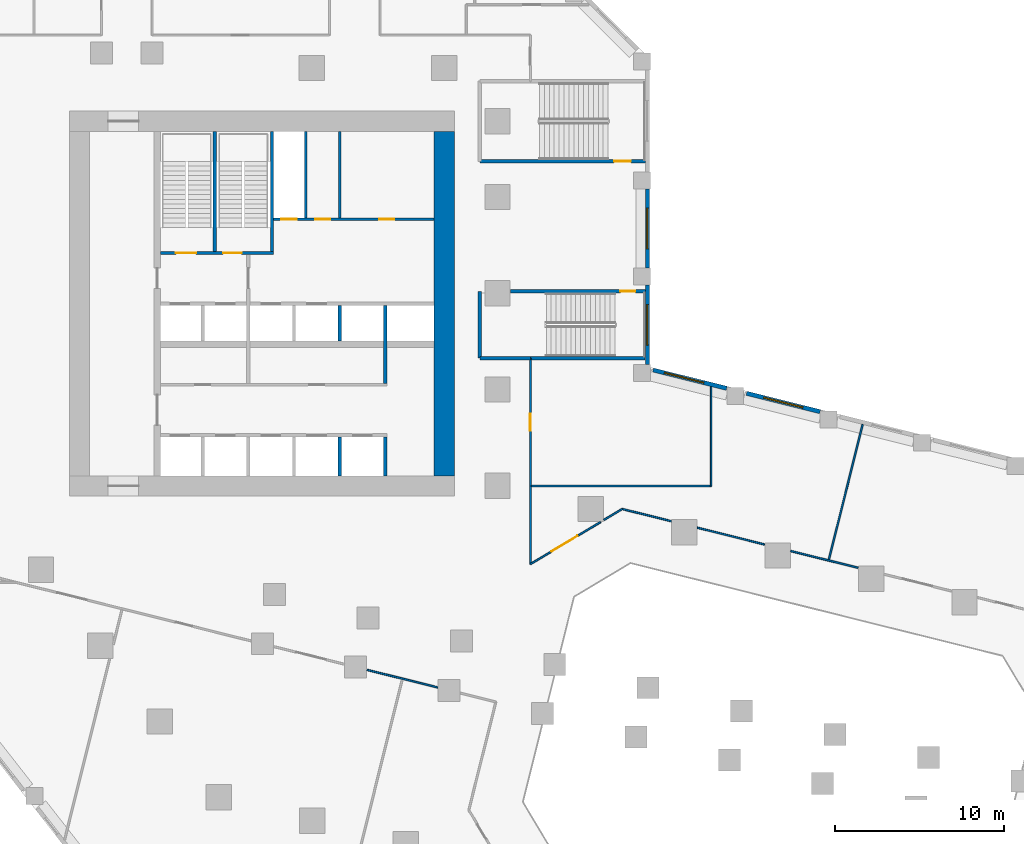
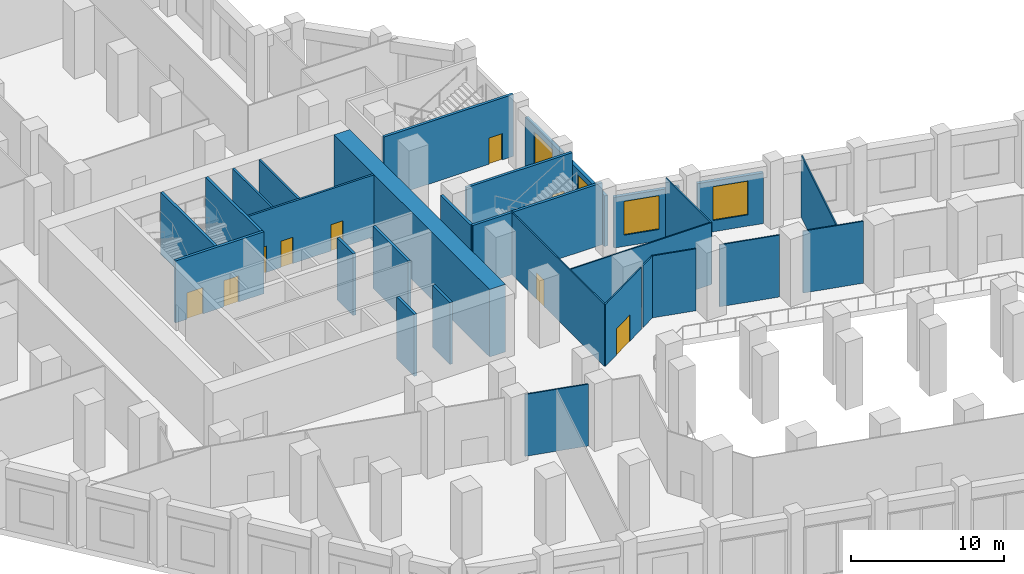
# One storey, part 11 of 23: 30 walls, 9 doors, 4 windows, 13 openings.
"""IFC4 building model written with IfcOpenShell, lengths in metres."""

from ifc_helpers import new_model, si_unit, direction, frame, frame_2d, origin, place, context, subcontext, project, spatial, rectangle, extrude, material, layer, layer_set, type_object, element, fill, save


model = new_model("IFC4")

# Units and contexts
model_context = context("Model", 3, precision=1e-05, world=origin(), true_north=direction((0.0, 1.0)))
body_context = subcontext(model_context, "Body", "Model", "MODEL_VIEW")
ifc_project = project(units=[si_unit("LENGTHUNIT", "METRE"), si_unit("AREAUNIT", "SQUARE_METRE"), si_unit("VOLUMEUNIT", "CUBIC_METRE"), si_unit("PLANEANGLEUNIT", "RADIAN"), si_unit("MASSUNIT", "GRAM", prefix="KILO")], contexts=[model_context])

# Site, building, storey
site_placement = place(None, origin())
site = spatial("IfcSite", under=ifc_project, at=site_placement, CompositionType="ELEMENT")
building_placement = place(site_placement, origin())
building = spatial("IfcBuilding", under=site, at=building_placement, Name="Meshkara Civic Tower", CompositionType="ELEMENT")
storey_placement = place(building_placement, frame((0.0, 0.0, 7.199951171875)))
storey = spatial("IfcBuildingStorey", under=building, at=storey_placement, Name="L01", CompositionType="ELEMENT", Elevation=7.199951171875)

# Wall, openings, doors
ifc_material_1 = material(Name="Blockwork", Category="masonry")
ifc_layer_1 = layer(ifc_material_1, 0.14990234375)
ifc_layer_set_1 = layer_set([ifc_layer_1], Name="Core partition 150")
wall_type_1 = type_object("IfcWallType", Name="Core partition 150", PredefinedType="PARTITIONING", material=ifc_layer_set_1)
wall_1_placement = place(storey_placement, frame((20.10009765625, 30.5, 0.0), z_axis=(0.0, 0.0, 1.0), x_axis=(1.0, 0.0, 0.0)))
wall_1 = element("IfcWall", 1, at=wall_1_placement, inside=storey, type_object=wall_type_1, Name="L01-C010", PredefinedType="PARTITIONING", context=body_context, shape_type="SweptSolid", body=[
    extrude(rectangle(XDim=9.5, YDim=0.14990234375, at=frame_2d((4.75, 0.0))), origin(), (0.0, 0.0, 1.0), 4.949951171875),
])
opening_1_placement = place(wall_1_placement, frame((0.449951171875, 0.0, 0.0)))
opening_1 = element("IfcOpeningElement", 2, at=opening_1_placement, cuts=wall_1, Name="Opening L01-K012", PredefinedType="OPENING", context=body_context, shape_type="SweptSolid", body=[
    extrude(rectangle(XDim=0.89990234375, YDim=2.10009765625, at=frame_2d((0.449951171875, 1.050048828125))), frame((0.0, 0.0849609375, 0.0), z_axis=(0.0, -1.0, 0.0), x_axis=(1.0, 0.0, 0.0)), (0.0, 0.0, 1.0), 0.169921875),
])
opening_2_placement = place(wall_1_placement, frame((2.449951171875, 0.0, 0.0)))
opening_2 = element("IfcOpeningElement", 3, at=opening_2_placement, cuts=wall_1, Name="Opening L01-K013", PredefinedType="OPENING", context=body_context, shape_type="SweptSolid", body=[
    extrude(rectangle(XDim=0.89990234375, YDim=2.10009765625, at=frame_2d((0.449951171875, 1.050048828125))), frame((0.0, 0.0849609375, 0.0), z_axis=(0.0, -1.0, 0.0), x_axis=(1.0, 0.0, 0.0)), (0.0, 0.0, 1.0), 0.169921875),
])
opening_3_placement = place(wall_1_placement, frame((6.25, 0.0, 0.0)))
opening_3 = element("IfcOpeningElement", 4, at=opening_3_placement, cuts=wall_1, Name="Opening L01-K014", PredefinedType="OPENING", context=body_context, shape_type="SweptSolid", body=[
    extrude(rectangle(XDim=0.89990234375, YDim=2.10009765625, at=frame_2d((0.449951171875, 1.050048828125))), frame((0.0, 0.0849609375, 0.0), z_axis=(0.0, -1.0, 0.0), x_axis=(1.0, 0.0, 0.0)), (0.0, 0.0, 1.0), 0.169921875),
])
ifc_material_2 = material(Name="Timber door leaf in steel frame", Category="steel")
door_type_1 = type_object("IfcDoorType", Name="Core room door 900", OperationType="SINGLE_SWING_LEFT", PredefinedType="DOOR", material=ifc_material_2)
door_1_placement = place(opening_3_placement, origin())
door_1 = element("IfcDoor", 5, at=door_1_placement, inside=storey, type_object=door_type_1, Name="L01-K014", OperationType="SINGLE_SWING_RIGHT", OverallHeight=2.10009765625, OverallWidth=0.89990234375, PredefinedType="DOOR", context=body_context, shape_type="SweptSolid", body=[
    extrude(rectangle(XDim=0.89990234375, YDim=2.10009765625, at=frame_2d((0.449951171875, 1.050048828125))), frame((0.0, 0.02490234375, 0.0), z_axis=(0.0, -1.0, 0.0), x_axis=(1.0, 0.0, 0.0)), (0.0, 0.0, 1.0), 0.050048828125),
])
fill(opening_3, door_1)
ifc_material_3 = material(Name="Fire-rated door leaf in steel frame", Category="steel")
door_type_2 = type_object("IfcDoorType", Name="Riser door 900", OperationType="SINGLE_SWING_LEFT", PredefinedType="DOOR", material=ifc_material_3)
door_2_placement = place(opening_1_placement, origin())
door_2 = element("IfcDoor", 6, at=door_2_placement, inside=storey, type_object=door_type_2, Name="L01-K012", OperationType="SINGLE_SWING_RIGHT", OverallHeight=2.10009765625, OverallWidth=0.89990234375, PredefinedType="DOOR", context=body_context, shape_type="SweptSolid", body=[
    extrude(rectangle(XDim=0.89990234375, YDim=2.10009765625, at=frame_2d((0.449951171875, 1.050048828125))), frame((0.0, 0.02490234375, 0.0), z_axis=(0.0, -1.0, 0.0), x_axis=(1.0, 0.0, 0.0)), (0.0, 0.0, 1.0), 0.050048828125),
])
fill(opening_1, door_2)
ifc_material_4 = material(Name="Timber door leaf in steel frame", Category="steel")
door_type_3 = type_object("IfcDoorType", Name="WC door 900", OperationType="SINGLE_SWING_LEFT", PredefinedType="DOOR", material=ifc_material_4)
door_3_placement = place(opening_2_placement, origin())
door_3 = element("IfcDoor", 7, at=door_3_placement, inside=storey, type_object=door_type_3, Name="L01-K013", OperationType="SINGLE_SWING_LEFT", OverallHeight=2.10009765625, OverallWidth=0.89990234375, PredefinedType="DOOR", context=body_context, shape_type="SweptSolid", body=[
    extrude(rectangle(XDim=0.89990234375, YDim=2.10009765625, at=frame_2d((0.449951171875, 1.050048828125))), frame((0.0, 0.02490234375, 0.0), z_axis=(0.0, -1.0, 0.0), x_axis=(1.0, 0.0, 0.0)), (0.0, 0.0, 1.0), 0.050048828125),
])
fill(opening_2, door_3)

# Walls
for number, where, z_axis, x_axis, name in (
    (8, (22.0, 30.574951171875, 0.0), (0.0, 0.0, 1.0), (0.0, 1.0, 0.0), "L01-C020"),
    (9, (24.0, 30.574951171875, 0.0), (0.0, 0.0, 1.0), (0.0, 1.0, 0.0), "L01-C023"),
):
    element("IfcWall", number, at=place(storey_placement, frame(where, z_axis=z_axis, x_axis=x_axis)), inside=storey, type_object=wall_type_1, Name=name, PredefinedType="PARTITIONING", context=body_context, shape_type="SweptSolid", body=[
        extrude(rectangle(XDim=5.125, YDim=0.14990234375, at=frame_2d((2.5625, 0.0))), origin(), (0.0, 0.0, 1.0), 4.949951171875),
    ])
ifc_material_5 = material(Name="Concrete C80", Category="concrete")
ifc_layer_2 = layer(ifc_material_5, 1.199951171875)
ifc_layer_set_2 = layer_set([ifc_layer_2], Name="Core ring wall 1200 C80")
wall_type_2 = type_object("IfcWallType", Name="Core ring wall 1200 C80", PredefinedType="SHEAR", material=ifc_layer_set_2)
wall_2_placement = place(storey_placement, frame((30.199951171875, 15.300048828125, -0.449951171875), z_axis=(0.0, 0.0, 1.0), x_axis=(0.0, 1.0, 0.0)))
element("IfcWall", 10, at=wall_2_placement, inside=storey, type_object=wall_type_2, Name="L01-C004", PredefinedType="SHEAR", context=body_context, shape_type="SweptSolid", body=[
    extrude(rectangle(XDim=20.39990234375, YDim=1.199951171875, at=frame_2d((10.199951171875, 0.0))), origin(), (0.0, 0.0, 1.0), 5.39990234375),
])
ifc_material_6 = material(Name="Corridor wall 100")
ifc_layer_3 = layer(ifc_material_6, 0.10009765625)
ifc_layer_set_3 = layer_set([ifc_layer_3], Name="Corridor wall 100")
wall_type_3 = type_object("IfcWallType", Name="Corridor wall 100", PredefinedType="PARTITIONING", material=ifc_layer_set_3)
wall_3_placement = place(storey_placement, frame((25.6240234375, 3.81494140625, 0.0), z_axis=(0.0, 0.0, 1.0), x_axis=(0.970295255208, -0.241923784941, 0.0)))
element("IfcWall", 11, at=wall_3_placement, inside=storey, type_object=wall_type_3, Name="L01-R034", PredefinedType="PARTITIONING", context=body_context, shape_type="SweptSolid", body=[
    extrude(rectangle(XDim=4.3193359375, YDim=0.10009765625, at=frame_2d((2.15966796875, 0.0))), origin(), (0.0, 0.0, 1.0), 4.949951171875),
])

# Wall, opening, door
wall_4_placement = place(storey_placement, frame((35.300048828125, 10.072998046875, 0.0), z_axis=(0.0, 0.0, 1.0), x_axis=(0.0, 1.0, 0.0)))
wall_4 = element("IfcWall", 12, at=wall_4_placement, inside=storey, type_object=wall_type_3, Name="L01-R047", PredefinedType="PARTITIONING", context=body_context, shape_type="SweptSolid", body=[
    extrude(rectangle(XDim=12.201904296875, YDim=0.10009765625, at=frame_2d((6.10107421875, 0.0))), origin(), (0.0, 0.0, 1.0), 4.949951171875),
])
opening_4_placement = place(wall_4_placement, frame((7.906982421875, 0.0, 0.0)))
opening_4 = element("IfcOpeningElement", 13, at=opening_4_placement, cuts=wall_4, Name="Opening L01-P021", PredefinedType="OPENING", context=body_context, shape_type="SweptSolid", body=[
    extrude(rectangle(XDim=1.0, YDim=2.10009765625, at=frame_2d((0.5, 1.050048828125))), frame((0.0, 0.06005859375, 0.0), z_axis=(0.0, -1.0, 0.0), x_axis=(1.0, 0.0, 0.0)), (0.0, 0.0, 1.0), 0.1201171875),
])
ifc_material_7 = material(Name="Door 1000 x 2100")
door_type_4 = type_object("IfcDoorType", Name="Door 1000 x 2100", OperationType="SINGLE_SWING_LEFT", PredefinedType="DOOR", material=ifc_material_7)
door_4_placement = place(opening_4_placement, origin())
door_4 = element("IfcDoor", 14, at=door_4_placement, inside=storey, type_object=door_type_4, Name="L01-P021", OperationType="SINGLE_SWING_LEFT", OverallHeight=2.10009765625, OverallWidth=1.0, PredefinedType="DOOR", context=body_context, shape_type="SweptSolid", body=[
    extrude(rectangle(XDim=1.0, YDim=2.10009765625, at=frame_2d((0.5, 1.050048828125))), frame((0.0, 0.02490234375, 0.0), z_axis=(0.0, -1.0, 0.0), x_axis=(1.0, 0.0, 0.0)), (0.0, 0.0, 1.0), 0.050048828125),
])
fill(opening_4, door_4)

wall_5_placement = place(storey_placement, frame((39.455078125, 12.570068359375, 0.0), z_axis=(0.0, 0.0, 1.0), x_axis=(-0.857123872191, -0.515110345189, 0.0)))
wall_5 = element("IfcWall", 15, at=wall_5_placement, inside=storey, type_object=wall_type_3, Name="L01-R050", PredefinedType="PARTITIONING", context=body_context, shape_type="SweptSolid", body=[
    extrude(rectangle(XDim=4.84765625, YDim=0.10009765625, at=frame_2d((2.423828125, 0.0))), origin(), (0.0, 0.0, 1.0), 4.949951171875),
])
opening_5_placement = place(wall_5_placement, frame((1.580078125, 0.0, 0.0)))
opening_5 = element("IfcOpeningElement", 16, at=opening_5_placement, cuts=wall_5, Name="Opening L01-P018", PredefinedType="OPENING", context=body_context, shape_type="SweptSolid", body=[
    extrude(rectangle(XDim=1.800048828125, YDim=2.10009765625, at=frame_2d((0.89990234375, 1.050048828125))), frame((0.0, 0.06005859375, 0.0), z_axis=(0.0, -1.0, 0.0), x_axis=(1.0, 0.0, 0.0)), (0.0, 0.0, 1.0), 0.1201171875),
])
ifc_material_8 = material(Name="Door pair 1800 x 2100")
door_type_5 = type_object("IfcDoorType", Name="Door pair 1800 x 2100", OperationType="SINGLE_SWING_LEFT", PredefinedType="DOOR", material=ifc_material_8)
door_5_placement = place(opening_5_placement, origin())
door_5 = element("IfcDoor", 17, at=door_5_placement, inside=storey, type_object=door_type_5, Name="L01-P018", OperationType="DOUBLE_DOOR_SINGLE_SWING", OverallHeight=2.10009765625, OverallWidth=1.800048828125, PredefinedType="DOOR", context=body_context, shape_type="SweptSolid", body=[
    extrude(rectangle(XDim=1.800048828125, YDim=2.10009765625, at=frame_2d((0.89990234375, 1.050048828125))), frame((0.0, 0.02490234375, 0.0), z_axis=(0.0, -1.0, 0.0), x_axis=(1.0, 0.0, 0.0)), (0.0, 0.0, 1.0), 0.050048828125),
])
fill(opening_5, door_5)

# Walls
wall_6_placement = place(storey_placement, frame((40.738037109375, 13.341064453125, 0.0), z_axis=(0.0, 0.0, 1.0), x_axis=(-0.8572210355, -0.51494863462, 0.0)))
element("IfcWall", 18, at=wall_6_placement, inside=storey, type_object=wall_type_3, Name="L01-R051", PredefinedType="PARTITIONING", context=body_context, shape_type="SweptSolid", body=[
    extrude(rectangle(XDim=1.268310546875, YDim=0.10009765625, at=frame_2d((0.63427734375, 0.0))), origin(), (0.0, 0.0, 1.0), 4.949951171875),
])
wall_7_placement = place(storey_placement, frame((43.64111328125, 12.616943359375, 0.0), z_axis=(0.0, 0.0, 1.0), x_axis=(-0.970271957157, 0.242017208387, 0.0)))
element("IfcWall", 19, at=wall_7_placement, inside=storey, type_object=wall_type_3, Name="L01-R053", PredefinedType="PARTITIONING", context=body_context, shape_type="SweptSolid", body=[
    extrude(rectangle(XDim=2.991943359375, YDim=0.10009765625, at=frame_2d((1.49609375, 0.0))), origin(), (0.0, 0.0, 1.0), 4.949951171875),
])
wall_8_placement = place(storey_placement, frame((49.172119140625, 11.238037109375, 0.0), z_axis=(0.0, 0.0, 1.0), x_axis=(-0.970309854702, 0.241865222529, 0.0)))
element("IfcWall", 20, at=wall_8_placement, inside=storey, type_object=wall_type_3, Name="L01-R054", PredefinedType="PARTITIONING", context=body_context, shape_type="SweptSolid", body=[
    extrude(rectangle(XDim=4.11328125, YDim=0.10009765625, at=frame_2d((2.056640625, 0.0))), origin(), (0.0, 0.0, 1.0), 4.949951171875),
])
wall_9_placement = place(storey_placement, frame((50.7119140625, 10.85400390625, 0.0), z_axis=(0.0, 0.0, 1.0), x_axis=(0.970292450022, -0.241935035559, 0.0)))
element("IfcWall", 21, at=wall_9_placement, inside=storey, type_object=wall_type_3, Name="L01-R055", PredefinedType="PARTITIONING", context=body_context, shape_type="SweptSolid", body=[
    extrude(rectangle(XDim=4.113037109375, YDim=0.10009765625, at=frame_2d((2.056640625, 0.0))), origin(), (0.0, 0.0, 1.0), 4.949951171875),
])

# Wall, opening, window
ifc_material_9 = material(Name="Stone cladding on insulated backing wall", Category="masonry")
ifc_layer_4 = layer(ifc_material_9, 0.25)
ifc_layer_set_4 = layer_set([ifc_layer_4], Name="PODIUM STONE WALL 250")
wall_type_4 = type_object("IfcWallType", Name="PODIUM STONE WALL 250", PredefinedType="SOLIDWALL", material=ifc_layer_set_4)
wall_10_placement = place(storey_placement, frame((52.451904296875, 19.10302734375, 0.0), z_axis=(0.0, 0.0, 1.0), x_axis=(-0.970276766004, 0.241997928406, 0.0)))
wall_10 = element("IfcWall", 22, at=wall_10_placement, inside=storey, type_object=wall_type_4, Name="Podium external wall", PredefinedType="SOLIDWALL", context=body_context, shape_type="SweptSolid", body=[
    extrude(rectangle(XDim=4.4873046875, YDim=0.25, at=frame_2d((2.24365234375, 0.0))), origin(), (0.0, 0.0, 1.0), 4.050048828125),
])
opening_6_placement = place(wall_10_placement, frame((1.0439453125, 0.0, 0.89990234375)))
opening_6 = element("IfcOpeningElement", 23, at=opening_6_placement, cuts=wall_10, Name="Opening PW4", PredefinedType="OPENING", context=body_context, shape_type="SweptSolid", body=[
    extrude(rectangle(XDim=2.39990234375, YDim=2.699951171875, at=frame_2d((1.199951171875, 1.35009765625))), frame((0.0, 0.135009765625, 0.0), z_axis=(0.0, -1.0, 0.0), x_axis=(1.0, 0.0, 0.0)), (0.0, 0.0, 1.0), 0.27001953125),
])
ifc_material_10 = material(Name="Tinted double glazing", Category="glass")
window_type = type_object("IfcWindowType", Name="PODIUM WINDOW 2400x2700", PartitioningType="DOUBLE_PANEL_VERTICAL", PredefinedType="WINDOW", material=ifc_material_10)
window_1_placement = place(opening_6_placement, origin())
window_1 = element("IfcWindow", 24, at=window_1_placement, inside=storey, type_object=window_type, Name="Podium window", OverallHeight=2.699951171875, OverallWidth=2.39990234375, PartitioningType="DOUBLE_PANEL_VERTICAL", PredefinedType="WINDOW", context=body_context, shape_type="SweptSolid", body=[
    extrude(rectangle(XDim=2.39990234375, YDim=2.699951171875, at=frame_2d((1.199951171875, 1.35009765625))), frame((0.0, 0.030029296875, 0.0), z_axis=(0.0, -1.0, 0.0), x_axis=(1.0, 0.0, 0.0)), (0.0, 0.0, 1.0), 0.06005859375),
])
fill(opening_6, window_1)

wall_11_placement = place(storey_placement, frame((46.922119140625, 20.48193359375, 0.0), z_axis=(0.0, 0.0, 1.0), x_axis=(-0.970279921141, 0.241985277715, 0.0)))
wall_11 = element("IfcWall", 25, at=wall_11_placement, inside=storey, type_object=wall_type_4, Name="Podium external wall", PredefinedType="SOLIDWALL", context=body_context, shape_type="SweptSolid", body=[
    extrude(rectangle(XDim=4.488525390625, YDim=0.25, at=frame_2d((2.244140625, 0.0))), origin(), (0.0, 0.0, 1.0), 4.050048828125),
])
opening_7_placement = place(wall_11_placement, frame((1.39697265625, 0.0, 0.89990234375)))
opening_7 = element("IfcOpeningElement", 26, at=opening_7_placement, cuts=wall_11, Name="Opening PW4", PredefinedType="OPENING", context=body_context, shape_type="SweptSolid", body=[
    extrude(rectangle(XDim=2.39990234375, YDim=2.699951171875, at=frame_2d((1.199951171875, 1.35009765625))), frame((0.0, 0.135009765625, 0.0), z_axis=(0.0, -1.0, 0.0), x_axis=(1.0, 0.0, 0.0)), (0.0, 0.0, 1.0), 0.27001953125),
])
window_2_placement = place(opening_7_placement, origin())
window_2 = element("IfcWindow", 27, at=window_2_placement, inside=storey, type_object=window_type, Name="Podium window", OverallHeight=2.699951171875, OverallWidth=2.39990234375, PartitioningType="DOUBLE_PANEL_VERTICAL", PredefinedType="WINDOW", context=body_context, shape_type="SweptSolid", body=[
    extrude(rectangle(XDim=2.39990234375, YDim=2.699951171875, at=frame_2d((1.199951171875, 1.35009765625))), frame((0.0, 0.030029296875, 0.0), z_axis=(0.0, -1.0, 0.0), x_axis=(1.0, 0.0, 0.0)), (0.0, 0.0, 1.0), 0.06005859375),
])
fill(opening_7, window_2)

wall_12_placement = place(storey_placement, frame((42.22509765625, 21.89892578125, 0.0), z_axis=(0.0, 0.0, 1.0), x_axis=(0.0, 1.0, 0.0)))
wall_12 = element("IfcWall", 28, at=wall_12_placement, inside=storey, type_object=wall_type_4, Name="Podium external wall", PredefinedType="SOLIDWALL", context=body_context, shape_type="SweptSolid", body=[
    extrude(rectangle(XDim=4.7001953125, YDim=0.25, at=frame_2d((2.35009765625, 0.0))), origin(), (0.0, 0.0, 1.0), 4.050048828125),
])
opening_8_placement = place(wall_12_placement, frame((1.14990234375, 0.0, 0.89990234375)))
opening_8 = element("IfcOpeningElement", 29, at=opening_8_placement, cuts=wall_12, Name="Opening PW4", PredefinedType="OPENING", context=body_context, shape_type="SweptSolid", body=[
    extrude(rectangle(XDim=2.39990234375, YDim=2.699951171875, at=frame_2d((1.199951171875, 1.35009765625))), frame((0.0, 0.135009765625, 0.0), z_axis=(0.0, -1.0, 0.0), x_axis=(1.0, 0.0, 0.0)), (0.0, 0.0, 1.0), 0.27001953125),
])
window_3_placement = place(opening_8_placement, origin())
window_3 = element("IfcWindow", 30, at=window_3_placement, inside=storey, type_object=window_type, Name="Podium window", OverallHeight=2.699951171875, OverallWidth=2.39990234375, PartitioningType="DOUBLE_PANEL_VERTICAL", PredefinedType="WINDOW", context=body_context, shape_type="SweptSolid", body=[
    extrude(rectangle(XDim=2.39990234375, YDim=2.699951171875, at=frame_2d((1.199951171875, 1.35009765625))), frame((0.0, 0.030029296875, 0.0), z_axis=(0.0, -1.0, 0.0), x_axis=(1.0, 0.0, 0.0)), (0.0, 0.0, 1.0), 0.06005859375),
])
fill(opening_8, window_3)

wall_13_placement = place(storey_placement, frame((42.22509765625, 27.59912109375, 0.0), z_axis=(0.0, 0.0, 1.0), x_axis=(0.0, 1.0, 0.0)))
wall_13 = element("IfcWall", 31, at=wall_13_placement, inside=storey, type_object=wall_type_4, Name="Podium external wall", PredefinedType="SOLIDWALL", context=body_context, shape_type="SweptSolid", body=[
    extrude(rectangle(XDim=4.699951171875, YDim=0.25, at=frame_2d((2.35009765625, 0.0))), origin(), (0.0, 0.0, 1.0), 4.050048828125),
])
opening_9_placement = place(wall_13_placement, frame((1.14990234375, 0.0, 0.89990234375)))
opening_9 = element("IfcOpeningElement", 32, at=opening_9_placement, cuts=wall_13, Name="Opening PW4", PredefinedType="OPENING", context=body_context, shape_type="SweptSolid", body=[
    extrude(rectangle(XDim=2.39990234375, YDim=2.699951171875, at=frame_2d((1.199951171875, 1.35009765625))), frame((0.0, 0.135009765625, 0.0), z_axis=(0.0, -1.0, 0.0), x_axis=(1.0, 0.0, 0.0)), (0.0, 0.0, 1.0), 0.27001953125),
])
window_4_placement = place(opening_9_placement, origin())
window_4 = element("IfcWindow", 33, at=window_4_placement, inside=storey, type_object=window_type, Name="Podium window", OverallHeight=2.699951171875, OverallWidth=2.39990234375, PartitioningType="DOUBLE_PANEL_VERTICAL", PredefinedType="WINDOW", context=body_context, shape_type="SweptSolid", body=[
    extrude(rectangle(XDim=2.39990234375, YDim=2.699951171875, at=frame_2d((1.199951171875, 1.35009765625))), frame((0.0, 0.030029296875, 0.0), z_axis=(0.0, -1.0, 0.0), x_axis=(1.0, 0.0, 0.0)), (0.0, 0.0, 1.0), 0.06005859375),
])
fill(opening_9, window_4)

# Walls
ifc_material_11 = material(Name="Partition 100")
ifc_layer_5 = layer(ifc_material_11, 0.10009765625)
ifc_layer_set_5 = layer_set([ifc_layer_5], Name="Partition 100")
wall_type_5 = type_object("IfcWallType", Name="Partition 100", PredefinedType="PARTITIONING", material=ifc_layer_set_5)
wall_14_placement = place(storey_placement, frame((35.35009765625, 14.699951171875, 0.0), z_axis=(0.0, 0.0, 1.0), x_axis=(1.0, 0.0, 0.0)))
element("IfcWall", 34, at=wall_14_placement, inside=storey, type_object=wall_type_5, Name="L01-R108", PredefinedType="PARTITIONING", context=body_context, shape_type="SweptSolid", body=[
    extrude(rectangle(XDim=10.64990234375, YDim=0.10009765625, at=frame_2d((5.324951171875, 0.0))), origin(), (0.0, 0.0, 1.0), 4.949951171875),
])
wall_15_placement = place(storey_placement, frame((46.0, 14.699951171875, 0.0), z_axis=(0.0, 0.0, 1.0), x_axis=(0.0, 1.0, 0.0)))
element("IfcWall", 35, at=wall_15_placement, inside=storey, type_object=wall_type_5, Name="L01-R110", PredefinedType="PARTITIONING", context=body_context, shape_type="SweptSolid", body=[
    extrude(rectangle(XDim=5.883056640625, YDim=0.10009765625, at=frame_2d((2.94140625, 0.0))), origin(), (0.0, 0.0, 1.0), 4.949951171875),
])
wall_16_placement = place(storey_placement, frame((52.97509765625, 10.342041015625, 0.0), z_axis=(0.0, 0.0, 1.0), x_axis=(0.241943668777, 0.970290297354, 0.0)))
element("IfcWall", 36, at=wall_16_placement, inside=storey, type_object=wall_type_5, Name="L01-R111", PredefinedType="PARTITIONING", context=body_context, shape_type="SweptSolid", body=[
    extrude(rectangle(XDim=8.249267578125, YDim=0.10009765625, at=frame_2d((4.12451171875, 0.0))), origin(), (0.0, 0.0, 1.0), 4.949951171875),
])
ifc_material_12 = material(Name="Concrete C40/50", Category="concrete")
ifc_layer_6 = layer(ifc_material_12, 0.199951171875)
ifc_layer_set_6 = layer_set([ifc_layer_6], Name="Shaft wall 200 C40/50")
wall_type_6 = type_object("IfcWallType", Name="Shaft wall 200 C40/50", PredefinedType="SOLIDWALL", material=ifc_layer_set_6)
wall_17_placement = place(storey_placement, frame((24.0, 15.300048828125, 0.0), z_axis=(0.0, 0.0, 1.0), x_axis=(0.0, 1.0, 0.0)))
element("IfcWall", 37, at=wall_17_placement, inside=storey, type_object=wall_type_6, Name="L01-C021", PredefinedType="SOLIDWALL", context=body_context, shape_type="SweptSolid", body=[
    extrude(rectangle(XDim=2.300048828125, YDim=0.199951171875, at=frame_2d((1.14990234375, 0.0))), origin(), (0.0, 0.0, 1.0), 4.949951171875),
])
wall_18_placement = place(storey_placement, frame((24.0, 23.300048828125, 0.0), z_axis=(0.0, 0.0, 1.0), x_axis=(0.0, 1.0, 0.0)))
element("IfcWall", 38, at=wall_18_placement, inside=storey, type_object=wall_type_6, Name="L01-C022", PredefinedType="SOLIDWALL", context=body_context, shape_type="SweptSolid", body=[
    extrude(rectangle(XDim=2.099853515625, YDim=0.199951171875, at=frame_2d((1.0498046875, 0.0))), origin(), (0.0, 0.0, 1.0), 4.949951171875),
])
wall_19_placement = place(storey_placement, frame((26.699951171875, 15.300048828125, 0.0), z_axis=(0.0, 0.0, 1.0), x_axis=(0.0, 1.0, 0.0)))
element("IfcWall", 39, at=wall_19_placement, inside=storey, type_object=wall_type_6, Name="L01-C024", PredefinedType="SOLIDWALL", context=body_context, shape_type="SweptSolid", body=[
    extrude(rectangle(XDim=2.300048828125, YDim=0.199951171875, at=frame_2d((1.14990234375, 0.0))), origin(), (0.0, 0.0, 1.0), 4.949951171875),
])
wall_20_placement = place(storey_placement, frame((26.699951171875, 20.77490234375, 0.0), z_axis=(0.0, 0.0, 1.0), x_axis=(0.0, 1.0, 0.0)))
element("IfcWall", 40, at=wall_20_placement, inside=storey, type_object=wall_type_6, Name="L01-C025", PredefinedType="SOLIDWALL", context=body_context, shape_type="SweptSolid", body=[
    extrude(rectangle(XDim=4.625, YDim=0.199951171875, at=frame_2d((2.3125, 0.0))), origin(), (0.0, 0.0, 1.0), 4.949951171875),
])

# Wall, openings, doors
ifc_material_13 = material(Name="Concrete C40/50", Category="concrete")
ifc_layer_7 = layer(ifc_material_13, 0.199951171875)
ifc_layer_set_7 = layer_set([ifc_layer_7], Name="Stair enclosure wall 200 C40/50")
wall_type_7 = type_object("IfcWallType", Name="Stair enclosure wall 200 C40/50", PredefinedType="SOLIDWALL", material=ifc_layer_set_7)
wall_21_placement = place(storey_placement, frame((13.39990234375, 28.5, 0.0), z_axis=(0.0, 0.0, 1.0), x_axis=(1.0, 0.0, 0.0)))
wall_21 = element("IfcWall", 41, at=wall_21_placement, inside=storey, type_object=wall_type_7, Name="L01-C009", PredefinedType="SOLIDWALL", context=body_context, shape_type="SweptSolid", body=[
    extrude(rectangle(XDim=6.7001953125, YDim=0.199951171875, at=frame_2d((3.35009765625, 0.0))), origin(), (0.0, 0.0, 1.0), 4.949951171875),
])
opening_10_placement = place(wall_21_placement, frame((0.89990234375, 0.0, 0.0)))
opening_10 = element("IfcOpeningElement", 42, at=opening_10_placement, cuts=wall_21, Name="Opening L01-K015", PredefinedType="OPENING", context=body_context, shape_type="SweptSolid", body=[
    extrude(rectangle(XDim=1.199951171875, YDim=2.10009765625, at=frame_2d((0.60009765625, 1.050048828125))), frame((0.0, 0.10986328125, 0.0), z_axis=(0.0, -1.0, 0.0), x_axis=(1.0, 0.0, 0.0)), (0.0, 0.0, 1.0), 0.219970703125),
])
opening_11_placement = place(wall_21_placement, frame((3.699951171875, 0.0, 0.0)))
opening_11 = element("IfcOpeningElement", 43, at=opening_11_placement, cuts=wall_21, Name="Opening L01-K016", PredefinedType="OPENING", context=body_context, shape_type="SweptSolid", body=[
    extrude(rectangle(XDim=1.10009765625, YDim=2.10009765625, at=frame_2d((0.550048828125, 1.050048828125))), frame((0.0, 0.10986328125, 0.0), z_axis=(0.0, -1.0, 0.0), x_axis=(1.0, 0.0, 0.0)), (0.0, 0.0, 1.0), 0.219970703125),
])
ifc_material_14 = material(Name="Fire-rated door leaf in steel frame", Category="steel")
door_type_6 = type_object("IfcDoorType", Name="Stair door 1100 EI 120", OperationType="SINGLE_SWING_LEFT", PredefinedType="DOOR", material=ifc_material_14)
door_6_placement = place(opening_11_placement, origin())
door_6 = element("IfcDoor", 44, at=door_6_placement, inside=storey, type_object=door_type_6, Name="L01-K016", OperationType="SINGLE_SWING_LEFT", OverallHeight=2.10009765625, OverallWidth=1.10009765625, PredefinedType="DOOR", context=body_context, shape_type="SweptSolid", body=[
    extrude(rectangle(XDim=1.10009765625, YDim=2.10009765625, at=frame_2d((0.550048828125, 1.050048828125))), frame((0.0, 0.02490234375, 0.0), z_axis=(0.0, -1.0, 0.0), x_axis=(1.0, 0.0, 0.0)), (0.0, 0.0, 1.0), 0.050048828125),
])
fill(opening_11, door_6)
ifc_material_15 = material(Name="Fire-rated door leaf in steel frame", Category="steel")
door_type_7 = type_object("IfcDoorType", Name="Stair door 1200 EI 120", OperationType="SINGLE_SWING_LEFT", PredefinedType="DOOR", material=ifc_material_15)
door_7_placement = place(opening_10_placement, origin())
door_7 = element("IfcDoor", 45, at=door_7_placement, inside=storey, type_object=door_type_7, Name="L01-K015", OperationType="SINGLE_SWING_RIGHT", OverallHeight=2.10009765625, OverallWidth=1.199951171875, PredefinedType="DOOR", context=body_context, shape_type="SweptSolid", body=[
    extrude(rectangle(XDim=1.199951171875, YDim=2.10009765625, at=frame_2d((0.60009765625, 1.050048828125))), frame((0.0, 0.02490234375, 0.0), z_axis=(0.0, -1.0, 0.0), x_axis=(1.0, 0.0, 0.0)), (0.0, 0.0, 1.0), 0.050048828125),
])
fill(opening_10, door_7)

# Walls
for number, where, z_axis, x_axis, name in (
    (46, (16.60009765625, 28.60009765625, 0.0), (0.0, 0.0, 1.0), (0.0, 1.0, 0.0), "L01-C014"),
    (47, (20.0, 28.60009765625, 0.0), (0.0, 0.0, 1.0), (0.0, 1.0, 0.0), "L01-C017"),
):
    element("IfcWall", number, at=place(storey_placement, frame(where, z_axis=z_axis, x_axis=x_axis)), inside=storey, type_object=wall_type_7, Name=name, PredefinedType="SOLIDWALL", context=body_context, shape_type="SweptSolid", body=[
        extrude(rectangle(XDim=7.099853515625, YDim=0.199951171875, at=frame_2d((3.5498046875, 0.0))), origin(), (0.0, 0.0, 1.0), 4.949951171875),
    ])
wall_22_placement = place(storey_placement, frame((32.300048828125, 22.27490234375, 0.0), z_axis=(0.0, 0.0, 1.0), x_axis=(0.0, 1.0, 0.0)))
element("IfcWall", 48, at=wall_22_placement, inside=storey, type_object=wall_type_7, Name="L01-R040", PredefinedType="SOLIDWALL", context=body_context, shape_type="SweptSolid", body=[
    extrude(rectangle(XDim=3.9501953125, YDim=0.199951171875, at=frame_2d((1.97509765625, 0.0))), origin(), (0.0, 0.0, 1.0), 4.949951171875),
])

# Wall, opening, door
wall_23_placement = place(storey_placement, frame((34.1201171875, 26.22509765625, 0.0), z_axis=(0.0, 0.0, 1.0), x_axis=(1.0, 0.0, 0.0)))
wall_23 = element("IfcWall", 49, at=wall_23_placement, inside=storey, type_object=wall_type_7, Name="L01-R044", PredefinedType="SOLIDWALL", context=body_context, shape_type="SweptSolid", body=[
    extrude(rectangle(XDim=7.97998046875, YDim=0.199951171875, at=frame_2d((3.989990234375, 0.0))), origin(), (0.0, 0.0, 1.0), 4.949951171875),
])
opening_12_placement = place(wall_23_placement, frame((6.5, 0.0, 0.0)))
opening_12 = element("IfcOpeningElement", 50, at=opening_12_placement, cuts=wall_23, Name="Opening L01-P023", PredefinedType="OPENING", context=body_context, shape_type="SweptSolid", body=[
    extrude(rectangle(XDim=0.89990234375, YDim=2.10009765625, at=frame_2d((0.449951171875, 1.050048828125))), frame((0.0, 0.10986328125, 0.0), z_axis=(0.0, -1.0, 0.0), x_axis=(1.0, 0.0, 0.0)), (0.0, 0.0, 1.0), 0.219970703125),
])
door_8_placement = place(opening_12_placement, origin())
door_8 = element("IfcDoor", 51, at=door_8_placement, inside=storey, type_object=door_type_4, Name="L01-P023", OperationType="SINGLE_SWING_LEFT", OverallHeight=2.10009765625, OverallWidth=0.89990234375, PredefinedType="DOOR", context=body_context, shape_type="SweptSolid", body=[
    extrude(rectangle(XDim=0.89990234375, YDim=2.10009765625, at=frame_2d((0.449951171875, 1.050048828125))), frame((0.0, 0.02490234375, 0.0), z_axis=(0.0, -1.0, 0.0), x_axis=(1.0, 0.0, 0.0)), (0.0, 0.0, 1.0), 0.050048828125),
])
fill(opening_12, door_8)

# Wall
wall_24_placement = place(storey_placement, frame((35.300048828125, 22.27490234375, 0.0), z_axis=(0.0, 0.0, 1.0), x_axis=(-1.0, 0.0, 0.0)))
element("IfcWall", 52, at=wall_24_placement, inside=storey, type_object=wall_type_7, Name="L01-R048", PredefinedType="SOLIDWALL", context=body_context, shape_type="SweptSolid", body=[
    extrude(rectangle(XDim=3.0, YDim=0.199951171875, at=frame_2d((1.5, 0.0))), origin(), (0.0, 0.0, 1.0), 4.949951171875),
])

# Wall, opening, door
wall_25_placement = place(storey_placement, frame((42.10009765625, 33.925048828125, 0.0), z_axis=(0.0, 0.0, 1.0), x_axis=(-1.0, 0.0, 0.0)))
wall_25 = element("IfcWall", 53, at=wall_25_placement, inside=storey, type_object=wall_type_7, Name="L01-R052", PredefinedType="SOLIDWALL", context=body_context, shape_type="SweptSolid", body=[
    extrude(rectangle(XDim=9.800048828125, YDim=0.199951171875, at=frame_2d((4.89990234375, 0.0))), origin(), (0.0, 0.0, 1.0), 4.949951171875),
])
opening_13_placement = place(wall_25_placement, frame((0.85009765625, 0.0, 0.0)))
opening_13 = element("IfcOpeningElement", 54, at=opening_13_placement, cuts=wall_25, Name="Opening L01-P025", PredefinedType="OPENING", context=body_context, shape_type="SweptSolid", body=[
    extrude(rectangle(XDim=1.0, YDim=2.10009765625, at=frame_2d((0.5, 1.050048828125))), frame((0.0, 0.10986328125, 0.0), z_axis=(0.0, -1.0, 0.0), x_axis=(1.0, 0.0, 0.0)), (0.0, 0.0, 1.0), 0.219970703125),
])
door_9_placement = place(opening_13_placement, origin())
door_9 = element("IfcDoor", 55, at=door_9_placement, inside=storey, type_object=door_type_4, Name="L01-P025", OperationType="SINGLE_SWING_LEFT", OverallHeight=2.10009765625, OverallWidth=1.0, PredefinedType="DOOR", context=body_context, shape_type="SweptSolid", body=[
    extrude(rectangle(XDim=1.0, YDim=2.10009765625, at=frame_2d((0.5, 1.050048828125))), frame((0.0, 0.02490234375, 0.0), z_axis=(0.0, -1.0, 0.0), x_axis=(1.0, 0.0, 0.0)), (0.0, 0.0, 1.0), 0.050048828125),
])
fill(opening_13, door_9)

# Wall
wall_26_placement = place(storey_placement, frame((35.300048828125, 22.27490234375, 0.0), z_axis=(0.0, 0.0, 1.0), x_axis=(1.0, 0.0, 0.0)))
element("IfcWall", 56, at=wall_26_placement, inside=storey, type_object=wall_type_7, Name="L01-R107", PredefinedType="SOLIDWALL", context=body_context, shape_type="SweptSolid", body=[
    extrude(rectangle(XDim=6.800048828125, YDim=0.199951171875, at=frame_2d((3.39990234375, 0.0))), origin(), (0.0, 0.0, 1.0), 4.949951171875),
])

save(model, "model.ifc")
